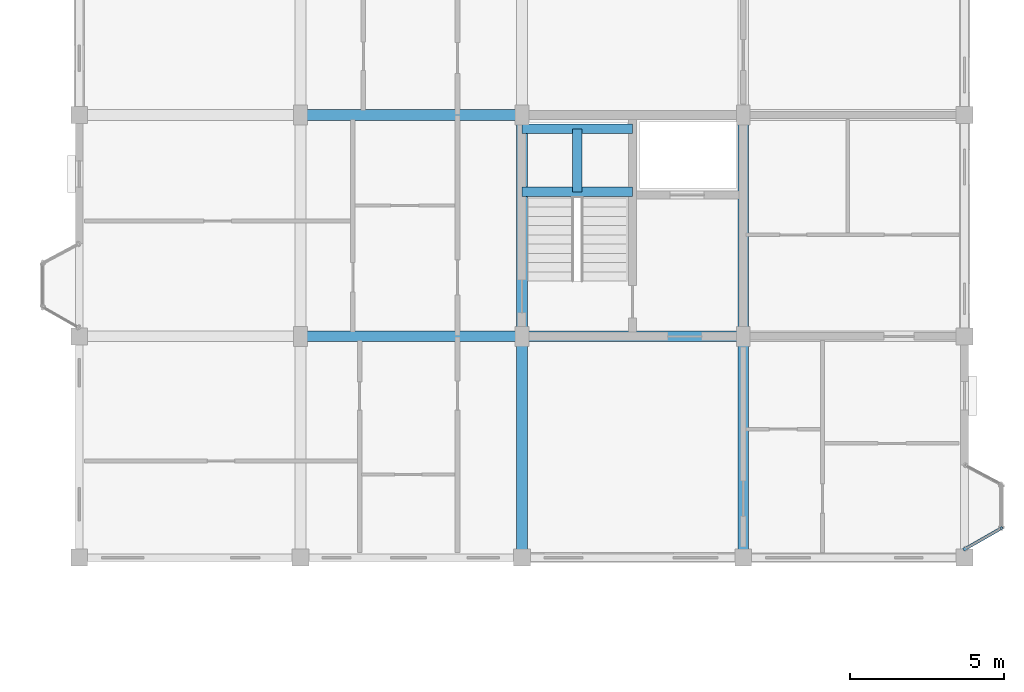
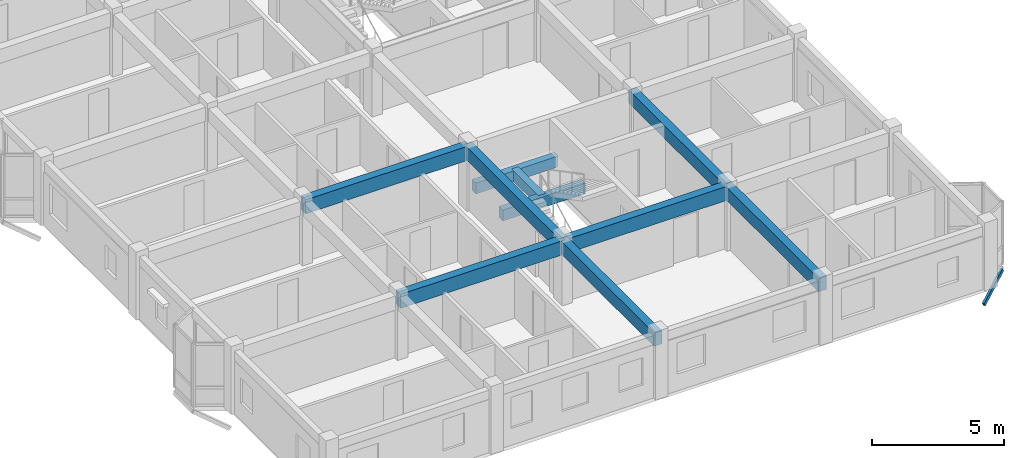
# One storey, part 24 of 77: 10 beams, 1 member.
"""IFC4 building model written with IfcOpenShell, lengths in metres."""

from ifc_helpers import new_model, si_unit, direction, frame, origin, origin_2d, place, context, subcontext, project, spatial, rectangle, hollow_rectangle, extrude, material, material_profile, profile_set, type_object, element, save


model = new_model("IFC4")

# Units and contexts
model_context = context("Model", 3, precision=1e-05, world=origin(), true_north=direction((0.0, 1.0)))
body_context = subcontext(model_context, "Body", "Model", "MODEL_VIEW")
ifc_project = project(units=[si_unit("LENGTHUNIT", "METRE"), si_unit("AREAUNIT", "SQUARE_METRE"), si_unit("VOLUMEUNIT", "CUBIC_METRE"), si_unit("PLANEANGLEUNIT", "RADIAN"), si_unit("MASSUNIT", "GRAM", prefix="KILO"), si_unit("THERMODYNAMICTEMPERATUREUNIT", "KELVIN"), si_unit("POWERUNIT", "WATT")], contexts=[model_context])

# Site, building, storey
site_placement = place(None, origin())
site = spatial("IfcSite", under=ifc_project, at=site_placement, CompositionType="ELEMENT")
building_placement = place(site_placement, origin())
building = spatial("IfcBuilding", under=site, at=building_placement, Name="Tavuni Mirador Residences", CompositionType="ELEMENT")
storey_placement = place(building_placement, frame((0.0, 0.0, 17.10009765625)))
storey = spatial("IfcBuildingStorey", under=building, at=storey_placement, Name="L05", CompositionType="ELEMENT", Elevation=17.10009765625)

# Beams
ifc_material_1 = material(Name="Precast concrete C40/50", Category="concrete")
ifc_material_profile_1 = material_profile(ifc_material_1, rectangle(XDim=0.300048828125, YDim=0.5, at=origin_2d()), Name="PC 300x500", Category="concrete")
ifc_profile_set_1 = profile_set([ifc_material_profile_1], Name="Precast concrete C40/50")
beam_type_1 = type_object("IfcBeamType", Name="BT-B500", PredefinedType="BEAM", material=ifc_profile_set_1)
for number, where, z_axis, x_axis, name in (
    (1, (104.39990234375, 98.300048828125, 1.14501953125), (1.0, 0.0, 0.0), (0.0, 1.0, 0.0), "HLB1-C7-L05"),
    (2, (104.39990234375, 100.35009765625, 1.14501953125), (1.0, 0.0, 0.0), (0.0, 1.0, 0.0), "HLB2-C7-L05"),
):
    element("IfcBeam", number, at=place(storey_placement, frame(where, z_axis=z_axis, x_axis=x_axis)), inside=storey, type_object=beam_type_1, Name=name, PredefinedType="BEAM", context=body_context, shape_type="SweptSolid", body=[
        extrude(rectangle(XDim=0.300048828125, YDim=0.5, at=origin_2d()), origin(), (0.0, 0.0, 1.0), 3.60009765625),
    ])
beam_1_placement = place(storey_placement, frame((106.199951171875, 98.300048828125, 1.14501953125), z_axis=(0.0, 1.0, 0.0), x_axis=(-1.0, 0.0, 0.0)))
element("IfcBeam", 3, at=beam_1_placement, inside=storey, type_object=beam_type_1, Name="HLB3-C7-L05", PredefinedType="BEAM", context=body_context, shape_type="SweptSolid", body=[
    extrude(rectangle(XDim=0.300048828125, YDim=0.5, at=origin_2d()), origin(), (0.0, 0.0, 1.0), 2.050048828125),
])
ifc_material_profile_2 = material_profile(ifc_material_1, rectangle(XDim=0.35009765625, YDim=0.60009765625, at=origin_2d()), Name="PC 350x600", Category="concrete")
ifc_profile_set_2 = profile_set([ifc_material_profile_2], Name="Precast concrete C40/50")
beam_type_2 = type_object("IfcBeamType", Name="BT-B600", PredefinedType="BEAM", material=ifc_profile_set_2)
beam_2_placement = place(storey_placement, frame((104.39990234375, 86.39990234375, 2.58984375), z_axis=(0.0, 1.0, 0.0), x_axis=(-1.0, 0.0, 0.0)))
element("IfcBeam", 4, at=beam_2_placement, inside=storey, type_object=beam_type_2, Name="BMY-BLK-D-L05-02-00", PredefinedType="BEAM", context=body_context, shape_type="SweptSolid", body=[
    extrude(rectangle(XDim=0.35009765625, YDim=0.60009765625, at=origin_2d()), origin(), (0.0, 0.0, 1.0), 7.2001953125),
])
beam_3_placement = place(storey_placement, frame((104.39990234375, 93.60009765625, 2.58984375), z_axis=(0.0, 1.0, 0.0), x_axis=(-1.0, 0.0, 0.0)))
element("IfcBeam", 5, at=beam_3_placement, inside=storey, type_object=beam_type_2, Name="BMY-BLK-D-L05-02-01", PredefinedType="BEAM", context=body_context, shape_type="SweptSolid", body=[
    extrude(rectangle(XDim=0.35009765625, YDim=0.60009765625, at=origin_2d()), origin(), (0.0, 0.0, 1.0), 7.199951171875),
])
beam_4_placement = place(storey_placement, frame((111.60009765625, 86.39990234375, 2.58984375), z_axis=(0.0, 1.0, 0.0), x_axis=(-1.0, 0.0, 0.0)))
element("IfcBeam", 6, at=beam_4_placement, inside=storey, type_object=beam_type_2, Name="BMY-BLK-D-L05-03-00", PredefinedType="BEAM", context=body_context, shape_type="SweptSolid", body=[
    extrude(rectangle(XDim=0.35009765625, YDim=0.60009765625, at=origin_2d()), origin(), (0.0, 0.0, 1.0), 7.2001953125),
])
beam_5_placement = place(storey_placement, frame((111.60009765625, 93.60009765625, 2.58984375), z_axis=(0.0, 1.0, 0.0), x_axis=(-1.0, 0.0, 0.0)))
element("IfcBeam", 7, at=beam_5_placement, inside=storey, type_object=beam_type_2, Name="BMY-BLK-D-L05-03-01", PredefinedType="BEAM", context=body_context, shape_type="SweptSolid", body=[
    extrude(rectangle(XDim=0.35009765625, YDim=0.60009765625, at=origin_2d()), origin(), (0.0, 0.0, 1.0), 7.199951171875),
])
ifc_material_profile_3 = material_profile(ifc_material_1, rectangle(XDim=0.35009765625, YDim=0.64990234375, at=origin_2d()), Name="PC 350x650", Category="concrete")
ifc_profile_set_3 = profile_set([ifc_material_profile_3], Name="Precast concrete C40/50")
beam_type_3 = type_object("IfcBeamType", Name="BT-B650", PredefinedType="BEAM", material=ifc_profile_set_3)
beam_6_placement = place(storey_placement, frame((97.199951171875, 93.60009765625, 2.56494140625), z_axis=(1.0, 0.0, 0.0), x_axis=(0.0, 1.0, 0.0)))
element("IfcBeam", 8, at=beam_6_placement, inside=storey, type_object=beam_type_3, Name="BMX-BLK-D-L05-01-01", PredefinedType="BEAM", context=body_context, shape_type="SweptSolid", body=[
    extrude(rectangle(XDim=0.35009765625, YDim=0.64990234375, at=origin_2d()), origin(), (0.0, 0.0, 1.0), 7.199951171875),
])
beam_7_placement = place(storey_placement, frame((104.39990234375, 93.60009765625, 2.56494140625), z_axis=(1.0, 0.0, 0.0), x_axis=(0.0, 1.0, 0.0)))
element("IfcBeam", 9, at=beam_7_placement, inside=storey, type_object=beam_type_3, Name="BMX-BLK-D-L05-02-01", PredefinedType="BEAM", context=body_context, shape_type="SweptSolid", body=[
    extrude(rectangle(XDim=0.35009765625, YDim=0.64990234375, at=origin_2d()), origin(), (0.0, 0.0, 1.0), 7.2001953125),
])
beam_8_placement = place(storey_placement, frame((97.199951171875, 100.800048828125, 2.56494140625), z_axis=(1.0, 0.0, 0.0), x_axis=(0.0, 1.0, 0.0)))
element("IfcBeam", 10, at=beam_8_placement, inside=storey, type_object=beam_type_3, Name="BMX-BLK-D-L05-01-02", PredefinedType="BEAM", context=body_context, shape_type="SweptSolid", body=[
    extrude(rectangle(XDim=0.35009765625, YDim=0.64990234375, at=origin_2d()), origin(), (0.0, 0.0, 1.0), 7.199951171875),
])

# Member
ifc_material_2 = material(Name="Structural steel S355", Category="steel")
ifc_material_profile_4 = material_profile(ifc_material_2, hollow_rectangle(XDim=0.10009765625, YDim=0.179931640625, WallThickness=0.008056640625, at=origin_2d()), Name="RHS 180x100x8.0", Category="steel")
ifc_profile_set_4 = profile_set([ifc_material_profile_4], Name="Structural steel S355")
member_type = type_object("IfcMemberType", Name="MT-BR-RHS180", PredefinedType="BRACE", material=ifc_profile_set_4)
member_placement = place(storey_placement, frame((118.800048828125, 86.675048828125, -1.050048828125), z_axis=(0.753903905175, 0.430407804256, 0.496364809185), x_axis=(-0.495796390047, 0.868438794398, 0.0)))
element("IfcMember", 11, at=member_placement, inside=storey, type_object=member_type, Name="MBRK-MIR-D-E1-L05-1", PredefinedType="BRACE", context=body_context, shape_type="SweptSolid", body=[
    extrude(hollow_rectangle(XDim=0.10009765625, YDim=0.179931640625, WallThickness=0.008056640625, at=origin_2d()), origin(), (0.0, 0.0, 1.0), 1.591552734375),
])

save(model, "model.ifc")
